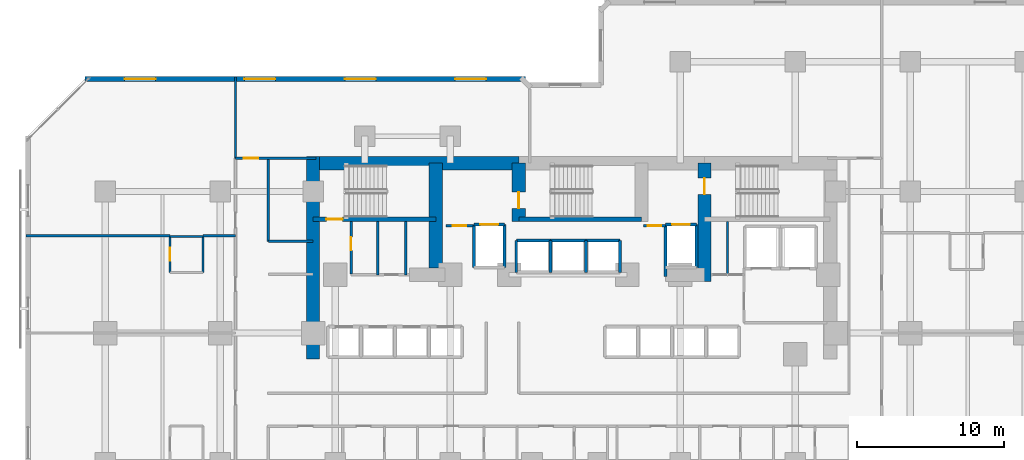
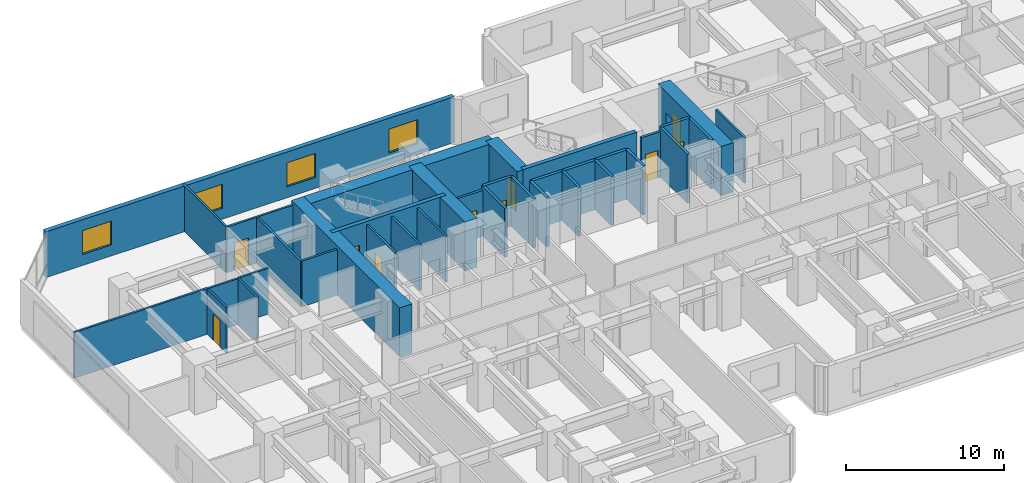
# One storey, part 8 of 12: 36 walls, 10 doors, 4 windows, 14 openings.
"""IFC4 building model written with IfcOpenShell, lengths in metres."""

from ifc_helpers import new_model, si_unit, direction, frame, frame_2d, origin, place, context, subcontext, project, spatial, rectangle, extrude, material, layer, layer_set, type_object, element, fill, save


model = new_model("IFC4")

# Units and contexts
model_context = context("Model", 3, precision=1e-05, world=origin(), true_north=direction((0.0, 1.0)))
body_context = subcontext(model_context, "Body", "Model", "MODEL_VIEW")
ifc_project = project(units=[si_unit("LENGTHUNIT", "METRE"), si_unit("AREAUNIT", "SQUARE_METRE"), si_unit("VOLUMEUNIT", "CUBIC_METRE"), si_unit("PLANEANGLEUNIT", "RADIAN"), si_unit("MASSUNIT", "GRAM", prefix="KILO")], contexts=[model_context])

# Site, building, storey
site_placement = place(None, origin())
site = spatial("IfcSite", under=ifc_project, at=site_placement, CompositionType="ELEMENT")
building_placement = place(site_placement, origin())
building = spatial("IfcBuilding", under=site, at=building_placement, Name="Kestravale Grand Hotel", CompositionType="ELEMENT")
storey_placement = place(building_placement, frame((0.0, 0.0, 26.0)))
storey = spatial("IfcBuildingStorey", under=building, at=storey_placement, Name="L05", CompositionType="ELEMENT", Elevation=26.0)

# Walls
ifc_material_1 = material(Name="Concrete f'c 70 MPa", Category="concrete")
ifc_layer_1 = layer(ifc_material_1, 0.89990234375)
ifc_layer_set_1 = layer_set([ifc_layer_1], Name="EW-CORE-900")
wall_type_1 = type_object("IfcWallType", Name="EW-CORE-900", PredefinedType="SHEAR", material=ifc_layer_set_1)
wall_1_placement = place(storey_placement, frame((21.449951171875, 40.320068359375, 0.0), z_axis=(0.0, 0.0, 1.0), x_axis=(1.0, 0.0, 0.0)))
element("IfcWall", 1, at=wall_1_placement, inside=storey, type_object=wall_type_1, Name="L05 core shear wall N1", PredefinedType="SHEAR", context=body_context, shape_type="SweptSolid", body=[
    extrude(rectangle(XDim=14.400146484375, YDim=0.89990234375, at=frame_2d((7.2001953125, 0.0))), origin(), (0.0, 0.0, 1.0), 3.800048828125),
])
wall_2_placement = place(storey_placement, frame((21.89990234375, 27.050048828125, 0.0), z_axis=(0.0, 0.0, 1.0), x_axis=(0.0, 1.0, 0.0)))
element("IfcWall", 2, at=wall_2_placement, inside=storey, type_object=wall_type_1, Name="L05 core shear wall W1", PredefinedType="SHEAR", context=body_context, shape_type="SweptSolid", body=[
    extrude(rectangle(XDim=13.719970703125, YDim=0.89990234375, at=frame_2d((6.85986328125, 0.0))), origin(), (0.0, 0.0, 1.0), 3.800048828125),
])
wall_3_placement = place(storey_placement, frame((30.219970703125, 33.199951171875, 0.0), z_axis=(0.0, 0.0, 1.0), x_axis=(0.0, 1.0, 0.0)))
element("IfcWall", 3, at=wall_3_placement, inside=storey, type_object=wall_type_1, Name="L05 core shear wall X1", PredefinedType="SHEAR", context=body_context, shape_type="SweptSolid", body=[
    extrude(rectangle(XDim=7.1201171875, YDim=0.89990234375, at=frame_2d((3.56005859375, 0.0))), origin(), (0.0, 0.0, 1.0), 3.800048828125),
])

# Wall, opening, door
wall_4_placement = place(storey_placement, frame((35.85009765625, 36.3701171875, 0.0), z_axis=(0.0, 0.0, 1.0), x_axis=(0.0, 1.0, 0.0)))
wall_4 = element("IfcWall", 4, at=wall_4_placement, inside=storey, type_object=wall_type_1, Name="L05 core shear wall X2", PredefinedType="SHEAR", context=body_context, shape_type="SweptSolid", body=[
    extrude(rectangle(XDim=3.949951171875, YDim=0.89990234375, at=frame_2d((1.97509765625, 0.0))), origin(), (0.0, 0.0, 1.0), 3.800048828125),
])
opening_1_placement = place(wall_4_placement, frame((0.8798828125, 0.0, 0.0)))
opening_1 = element("IfcOpeningElement", 5, at=opening_1_placement, cuts=wall_4, Name="Opening D-ST-1100", PredefinedType="OPENING", context=body_context, shape_type="SweptSolid", body=[
    extrude(rectangle(XDim=1.10009765625, YDim=2.14990234375, at=frame_2d((0.550048828125, 1.074951171875))), frame((0.0, 0.4599609375, 0.0), z_axis=(0.0, -1.0, 0.0), x_axis=(1.0, 0.0, 0.0)), (0.0, 0.0, 1.0), 0.919921875),
])
ifc_material_2 = material(Name="Galvanised 90-minute fire-rated steel stair door", Category="steel")
door_type_1 = type_object("IfcDoorType", Name="D-ST-1100", OperationType="NOTDEFINED", PredefinedType="DOOR", material=ifc_material_2)
door_1_placement = place(opening_1_placement, origin())
door_1 = element("IfcDoor", 6, at=door_1_placement, inside=storey, type_object=door_type_1, Name="L05 Stair ST-2 FSAE fire door", OperationType="SINGLE_SWING_RIGHT", OverallHeight=2.14990234375, OverallWidth=1.10009765625, PredefinedType="DOOR", context=body_context, shape_type="SweptSolid", body=[
    extrude(rectangle(XDim=1.10009765625, YDim=2.14990234375, at=frame_2d((0.550048828125, 1.074951171875))), frame((0.0, 0.02490234375, 0.0), z_axis=(0.0, -1.0, 0.0), x_axis=(1.0, 0.0, 0.0)), (0.0, 0.0, 1.0), 0.050048828125),
])
fill(opening_1, door_1)

wall_5_placement = place(storey_placement, frame((48.449951171875, 32.300048828125, 0.0), z_axis=(0.0, 0.0, 1.0), x_axis=(0.0, 1.0, 0.0)))
wall_5 = element("IfcWall", 7, at=wall_5_placement, inside=storey, type_object=wall_type_1, Name="L05 core shear wall X4", PredefinedType="SHEAR", context=body_context, shape_type="SweptSolid", body=[
    extrude(rectangle(XDim=8.02001953125, YDim=0.89990234375, at=frame_2d((4.010009765625, 0.0))), origin(), (0.0, 0.0, 1.0), 3.800048828125),
])
opening_2_placement = place(wall_5_placement, frame((5.89990234375, 0.0, 0.0)))
opening_2 = element("IfcOpeningElement", 8, at=opening_2_placement, cuts=wall_5, Name="Opening D-ST-1100", PredefinedType="OPENING", context=body_context, shape_type="SweptSolid", body=[
    extrude(rectangle(XDim=1.10009765625, YDim=2.14990234375, at=frame_2d((0.550048828125, 1.074951171875))), frame((0.0, 0.4599609375, 0.0), z_axis=(0.0, -1.0, 0.0), x_axis=(1.0, 0.0, 0.0)), (0.0, 0.0, 1.0), 0.919921875),
])
door_2_placement = place(opening_2_placement, origin())
door_2 = element("IfcDoor", 9, at=door_2_placement, inside=storey, type_object=door_type_1, Name="L05 Stair ST-3 FSAE fire door", OperationType="SINGLE_SWING_RIGHT", OverallHeight=2.14990234375, OverallWidth=1.10009765625, PredefinedType="DOOR", context=body_context, shape_type="SweptSolid", body=[
    extrude(rectangle(XDim=1.10009765625, YDim=2.14990234375, at=frame_2d((0.550048828125, 1.074951171875))), frame((0.0, 0.02490234375, 0.0), z_axis=(0.0, -1.0, 0.0), x_axis=(1.0, 0.0, 0.0)), (0.0, 0.0, 1.0), 0.050048828125),
])
fill(opening_2, door_2)

# Wall, openings, windows
ifc_material_3 = material(Name="Precast concrete f'c 45 MPa", Category="concrete")
ifc_layer_2 = layer(ifc_material_3, 0.340087890625)
ifc_layer_set_2 = layer_set([ifc_layer_2], Name="EW-PREC-340")
wall_type_2 = type_object("IfcWallType", Name="EW-PREC-340", PredefinedType="SOLIDWALL", material=ifc_layer_set_2)
wall_6_placement = place(storey_placement, frame((36.320068359375, 46.030029296875, 0.0), z_axis=(0.0, 0.0, 1.0), x_axis=(-1.0, 0.0, 0.0)))
wall_6 = element("IfcWall", 10, at=wall_6_placement, inside=storey, type_object=wall_type_2, Name="L05 fluted precast facade wall 17", PredefinedType="SOLIDWALL", context=body_context, shape_type="SweptSolid", body=[
    extrude(rectangle(XDim=29.89013671875, YDim=0.340087890625, at=frame_2d((14.945068359375, 0.0))), origin(), (0.0, 0.0, 1.0), 3.5400390625),
])
opening_3_placement = place(wall_6_placement, frame((2.686279296875, 0.0, 0.85009765625)))
opening_3 = element("IfcOpeningElement", 11, at=opening_3_placement, cuts=wall_6, Name="Opening W-GUEST-2100", PredefinedType="OPENING", context=body_context, shape_type="SweptSolid", body=[
    extrude(rectangle(XDim=2.10009765625, YDim=1.85009765625, at=frame_2d((1.050048828125, 0.925048828125))), frame((0.0, 0.179931640625, 0.0), z_axis=(0.0, -1.0, 0.0), x_axis=(1.0, 0.0, 0.0)), (0.0, 0.0, 1.0), 0.360107421875),
])
opening_4_placement = place(wall_6_placement, frame((10.15869140625, 0.0, 0.85009765625)))
opening_4 = element("IfcOpeningElement", 12, at=opening_4_placement, cuts=wall_6, Name="Opening W-GUEST-2100", PredefinedType="OPENING", context=body_context, shape_type="SweptSolid", body=[
    extrude(rectangle(XDim=2.10009765625, YDim=1.85009765625, at=frame_2d((1.050048828125, 0.925048828125))), frame((0.0, 0.179931640625, 0.0), z_axis=(0.0, -1.0, 0.0), x_axis=(1.0, 0.0, 0.0)), (0.0, 0.0, 1.0), 0.360107421875),
])
opening_5_placement = place(wall_6_placement, frame((16.981201171875, 0.0, 0.85009765625)))
opening_5 = element("IfcOpeningElement", 13, at=opening_5_placement, cuts=wall_6, Name="Opening W-GUEST-2100", PredefinedType="OPENING", context=body_context, shape_type="SweptSolid", body=[
    extrude(rectangle(XDim=2.10009765625, YDim=1.85009765625, at=frame_2d((1.050048828125, 0.925048828125))), frame((0.0, 0.179931640625, 0.0), z_axis=(0.0, -1.0, 0.0), x_axis=(1.0, 0.0, 0.0)), (0.0, 0.0, 1.0), 0.360107421875),
])
opening_6_placement = place(wall_6_placement, frame((25.103759765625, 0.0, 0.85009765625)))
opening_6 = element("IfcOpeningElement", 14, at=opening_6_placement, cuts=wall_6, Name="Opening W-GUEST-2100", PredefinedType="OPENING", context=body_context, shape_type="SweptSolid", body=[
    extrude(rectangle(XDim=2.10009765625, YDim=1.85009765625, at=frame_2d((1.050048828125, 0.925048828125))), frame((0.0, 0.179931640625, 0.0), z_axis=(0.0, -1.0, 0.0), x_axis=(1.0, 0.0, 0.0)), (0.0, 0.0, 1.0), 0.360107421875),
])
ifc_material_4 = material(Name="Insulated low-E double glazing in aluminium frame", Category="aluminium")
window_type = type_object("IfcWindowType", Name="W-GUEST-2100", PartitioningType="DOUBLE_PANEL_VERTICAL", PredefinedType="WINDOW", material=ifc_material_4)
window_1_placement = place(opening_3_placement, origin())
window_1 = element("IfcWindow", 15, at=window_1_placement, inside=storey, type_object=window_type, Name="L05 exterior window 17.1", OverallHeight=1.85009765625, OverallWidth=2.10009765625, PartitioningType="SINGLE_PANEL", PredefinedType="WINDOW", context=body_context, shape_type="SweptSolid", body=[
    extrude(rectangle(XDim=2.10009765625, YDim=1.85009765625, at=frame_2d((1.050048828125, 0.925048828125))), frame((0.0, 0.030029296875, 0.0), z_axis=(0.0, -1.0, 0.0), x_axis=(1.0, 0.0, 0.0)), (0.0, 0.0, 1.0), 0.06005859375),
])
fill(opening_3, window_1)
window_2_placement = place(opening_4_placement, origin())
window_2 = element("IfcWindow", 16, at=window_2_placement, inside=storey, type_object=window_type, Name="L05 exterior window 17.2", OverallHeight=1.85009765625, OverallWidth=2.10009765625, PartitioningType="SINGLE_PANEL", PredefinedType="WINDOW", context=body_context, shape_type="SweptSolid", body=[
    extrude(rectangle(XDim=2.10009765625, YDim=1.85009765625, at=frame_2d((1.050048828125, 0.925048828125))), frame((0.0, 0.030029296875, 0.0), z_axis=(0.0, -1.0, 0.0), x_axis=(1.0, 0.0, 0.0)), (0.0, 0.0, 1.0), 0.06005859375),
])
fill(opening_4, window_2)
window_3_placement = place(opening_5_placement, origin())
window_3 = element("IfcWindow", 17, at=window_3_placement, inside=storey, type_object=window_type, Name="L05 exterior window 17.3", OverallHeight=1.85009765625, OverallWidth=2.10009765625, PartitioningType="SINGLE_PANEL", PredefinedType="WINDOW", context=body_context, shape_type="SweptSolid", body=[
    extrude(rectangle(XDim=2.10009765625, YDim=1.85009765625, at=frame_2d((1.050048828125, 0.925048828125))), frame((0.0, 0.030029296875, 0.0), z_axis=(0.0, -1.0, 0.0), x_axis=(1.0, 0.0, 0.0)), (0.0, 0.0, 1.0), 0.06005859375),
])
fill(opening_5, window_3)
window_4_placement = place(opening_6_placement, origin())
window_4 = element("IfcWindow", 18, at=window_4_placement, inside=storey, type_object=window_type, Name="L05 exterior window 17.4", OverallHeight=1.85009765625, OverallWidth=2.10009765625, PartitioningType="SINGLE_PANEL", PredefinedType="WINDOW", context=body_context, shape_type="SweptSolid", body=[
    extrude(rectangle(XDim=2.10009765625, YDim=1.85009765625, at=frame_2d((1.050048828125, 0.925048828125))), frame((0.0, 0.030029296875, 0.0), z_axis=(0.0, -1.0, 0.0), x_axis=(1.0, 0.0, 0.0)), (0.0, 0.0, 1.0), 0.06005859375),
])
fill(opening_6, window_4)

# Wall, opening, door
ifc_material_5 = material(Name="Concrete f'c 45 MPa", Category="concrete")
ifc_layer_3 = layer(ifc_material_5, 0.300048828125)
ifc_layer_set_3 = layer_set([ifc_layer_3], Name="EW-STAIR-300")
wall_type_3 = type_object("IfcWallType", Name="EW-STAIR-300", PredefinedType="SHEAR", material=ifc_layer_set_3)
wall_7_placement = place(storey_placement, frame((21.89990234375, 36.52001953125, 0.0), z_axis=(0.0, 0.0, 1.0), x_axis=(1.0, 0.0, 0.0)))
wall_7 = element("IfcWall", 19, at=wall_7_placement, inside=storey, type_object=wall_type_3, Name="L05 stair enclosure shear wall SST1", PredefinedType="SHEAR", context=body_context, shape_type="SweptSolid", body=[
    extrude(rectangle(XDim=8.320068359375, YDim=0.300048828125, at=frame_2d((4.16015625, 0.0))), origin(), (0.0, 0.0, 1.0), 3.800048828125),
])
opening_7_placement = place(wall_7_placement, frame((0.89990234375, 0.0, 0.0)))
opening_7 = element("IfcOpeningElement", 20, at=opening_7_placement, cuts=wall_7, Name="Opening D-ST-1100", PredefinedType="OPENING", context=body_context, shape_type="SweptSolid", body=[
    extrude(rectangle(XDim=1.10009765625, YDim=2.14990234375, at=frame_2d((0.550048828125, 1.074951171875))), frame((0.0, 0.159912109375, 0.0), z_axis=(0.0, -1.0, 0.0), x_axis=(1.0, 0.0, 0.0)), (0.0, 0.0, 1.0), 0.320068359375),
])
door_3_placement = place(opening_7_placement, origin())
door_3 = element("IfcDoor", 21, at=door_3_placement, inside=storey, type_object=door_type_1, Name="L05 Stair ST-1 fire door", OperationType="SINGLE_SWING_RIGHT", OverallHeight=2.14990234375, OverallWidth=1.10009765625, PredefinedType="DOOR", context=body_context, shape_type="SweptSolid", body=[
    extrude(rectangle(XDim=1.10009765625, YDim=2.14990234375, at=frame_2d((0.550048828125, 1.074951171875))), frame((0.0, 0.02490234375, 0.0), z_axis=(0.0, -1.0, 0.0), x_axis=(1.0, 0.0, 0.0)), (0.0, 0.0, 1.0), 0.050048828125),
])
fill(opening_7, door_3)

# Wall
wall_8_placement = place(storey_placement, frame((35.85009765625, 36.52001953125, 0.0), z_axis=(0.0, 0.0, 1.0), x_axis=(1.0, 0.0, 0.0)))
element("IfcWall", 22, at=wall_8_placement, inside=storey, type_object=wall_type_3, Name="L05 stair enclosure shear wall SST2", PredefinedType="SHEAR", context=body_context, shape_type="SweptSolid", body=[
    extrude(rectangle(XDim=8.329833984375, YDim=0.300048828125, at=frame_2d((4.1650390625, 0.0))), origin(), (0.0, 0.0, 1.0), 3.800048828125),
])

# Wall, opening, door
ifc_material_6 = material(Name="Acoustic fire-rated gypsum board partition", Category="other")
ifc_layer_4 = layer(ifc_material_6, 0.159912109375)
ifc_layer_set_4 = layer_set([ifc_layer_4], Name="IW-CORR-160")
wall_type_4 = type_object("IfcWallType", Name="IW-CORR-160", PredefinedType="PARTITIONING", material=ifc_layer_set_4)
wall_9_placement = place(storey_placement, frame((24.47998046875, 32.800048828125, 0.0), z_axis=(0.0, 0.0, 1.0), x_axis=(0.0, 1.0, 0.0)))
wall_9 = element("IfcWall", 23, at=wall_9_placement, inside=storey, type_object=wall_type_4, Name="L05 west core vestibule wall", PredefinedType="PARTITIONING", context=body_context, shape_type="SweptSolid", body=[
    extrude(rectangle(XDim=3.570068359375, YDim=0.159912109375, at=frame_2d((1.78515625, 0.0))), origin(), (0.0, 0.0, 1.0), 3.5400390625),
])
opening_8_placement = place(wall_9_placement, frame((1.603515625, 0.0, 0.0)))
opening_8 = element("IfcOpeningElement", 24, at=opening_8_placement, cuts=wall_9, Name="Opening D-SH-900", PredefinedType="OPENING", context=body_context, shape_type="SweptSolid", body=[
    extrude(rectangle(XDim=0.89990234375, YDim=2.10009765625, at=frame_2d((0.449951171875, 1.050048828125))), frame((0.0, 0.08984375, 0.0), z_axis=(0.0, -1.0, 0.0), x_axis=(1.0, 0.0, 0.0)), (0.0, 0.0, 1.0), 0.179931640625),
])
ifc_material_7 = material(Name="Galvanised 90-minute shaft and service fire door", Category="steel")
door_type_2 = type_object("IfcDoorType", Name="D-SH-900", OperationType="NOTDEFINED", PredefinedType="DOOR", material=ifc_material_7)
door_4_placement = place(opening_8_placement, origin())
door_4 = element("IfcDoor", 25, at=door_4_placement, inside=storey, type_object=door_type_2, Name="D-L05-HK", OperationType="SINGLE_SWING_RIGHT", OverallHeight=2.10009765625, OverallWidth=0.89990234375, PredefinedType="DOOR", context=body_context, shape_type="SweptSolid", body=[
    extrude(rectangle(XDim=0.89990234375, YDim=2.10009765625, at=frame_2d((0.449951171875, 1.050048828125))), frame((0.0, 0.02490234375, 0.0), z_axis=(0.0, -1.0, 0.0), x_axis=(1.0, 0.0, 0.0)), (0.0, 0.0, 1.0), 0.050048828125),
])
fill(opening_8, door_4)

# Walls
wall_10_placement = place(storey_placement, frame((18.860107421875, 35.02001953125, 0.0), z_axis=(0.0, 0.0, 1.0), x_axis=(0.0, 1.0, 0.0)))
element("IfcWall", 26, at=wall_10_placement, inside=storey, type_object=wall_type_4, Name="W-L05-SW-EN", PredefinedType="PARTITIONING", context=body_context, shape_type="SweptSolid", body=[
    extrude(rectangle(XDim=5.6298828125, YDim=0.159912109375, at=frame_2d((2.81494140625, 0.0))), origin(), (0.0, 0.0, 1.0), 3.5400390625),
])
wall_11_placement = place(storey_placement, frame((18.860107421875, 35.02001953125, 0.0), z_axis=(0.0, 0.0, 1.0), x_axis=(1.0, 0.0, 0.0)))
element("IfcWall", 27, at=wall_11_placement, inside=storey, type_object=wall_type_4, Name="W-L05-SW-CN", PredefinedType="PARTITIONING", context=body_context, shape_type="SweptSolid", body=[
    extrude(rectangle(XDim=3.039794921875, YDim=0.159912109375, at=frame_2d((1.52001953125, 0.0))), origin(), (0.0, 0.0, 1.0), 3.5400390625),
])

# Wall, opening, door
ifc_material_8 = material(Name="Fire-rated gypsum board on steel studs with mineral wool", Category="steel")
ifc_layer_5 = layer(ifc_material_8, 0.179931640625)
ifc_layer_set_5 = layer_set([ifc_layer_5], Name="IW-FSAE-180")
wall_type_5 = type_object("IfcWallType", Name="IW-FSAE-180", PredefinedType="PARTITIONING", material=ifc_layer_set_5)
wall_12_placement = place(storey_placement, frame((30.89990234375, 36.080078125, 0.0), z_axis=(0.0, 0.0, 1.0), x_axis=(1.0, 0.0, 0.0)))
wall_12 = element("IfcWall", 28, at=wall_12_placement, inside=storey, type_object=wall_type_5, Name="L05 FSAE Lobby 1 smoke barrier", PredefinedType="PARTITIONING", context=body_context, shape_type="SweptSolid", body=[
    extrude(rectangle(XDim=1.85009765625, YDim=0.179931640625, at=frame_2d((0.925048828125, 0.0))), origin(), (0.0, 0.0, 1.0), 3.5400390625),
])
opening_9_placement = place(wall_12_placement, frame((0.47998046875, 0.0, 0.0)))
opening_9 = element("IfcOpeningElement", 29, at=opening_9_placement, cuts=wall_12, Name="Opening D-FSAE-1000", PredefinedType="OPENING", context=body_context, shape_type="SweptSolid", body=[
    extrude(rectangle(XDim=0.89990234375, YDim=2.14990234375, at=frame_2d((0.449951171875, 1.074951171875))), frame((0.0, 0.099853515625, 0.0), z_axis=(0.0, -1.0, 0.0), x_axis=(1.0, 0.0, 0.0)), (0.0, 0.0, 1.0), 0.199951171875),
])
ifc_material_9 = material(Name="Smoke-gasketed FSAE lobby fire door", Category="steel")
door_type_3 = type_object("IfcDoorType", Name="D-FSAE-1000", OperationType="NOTDEFINED", PredefinedType="DOOR", material=ifc_material_9)
door_5_placement = place(opening_9_placement, origin())
door_5 = element("IfcDoor", 30, at=door_5_placement, inside=storey, type_object=door_type_3, Name="L05 FSAE Lobby 1 fire door", OperationType="SINGLE_SWING_RIGHT", OverallHeight=2.14990234375, OverallWidth=0.89990234375, PredefinedType="DOOR", context=body_context, shape_type="SweptSolid", body=[
    extrude(rectangle(XDim=0.89990234375, YDim=2.14990234375, at=frame_2d((0.449951171875, 1.074951171875))), frame((0.0, 0.02490234375, 0.0), z_axis=(0.0, -1.0, 0.0), x_axis=(1.0, 0.0, 0.0)), (0.0, 0.0, 1.0), 0.050048828125),
])
fill(opening_9, door_5)

wall_13_placement = place(storey_placement, frame((44.300048828125, 36.080078125, 0.0), z_axis=(0.0, 0.0, 1.0), x_axis=(1.0, 0.0, 0.0)))
wall_13 = element("IfcWall", 31, at=wall_13_placement, inside=storey, type_object=wall_type_5, Name="L05 FSAE Lobby 2 smoke barrier", PredefinedType="PARTITIONING", context=body_context, shape_type="SweptSolid", body=[
    extrude(rectangle(XDim=1.5, YDim=0.179931640625, at=frame_2d((0.75, 0.0))), origin(), (0.0, 0.0, 1.0), 3.5400390625),
])
opening_10_placement = place(wall_13_placement, frame((0.300048828125, 0.0, 0.0)))
opening_10 = element("IfcOpeningElement", 32, at=opening_10_placement, cuts=wall_13, Name="Opening D-FSAE-1000", PredefinedType="OPENING", context=body_context, shape_type="SweptSolid", body=[
    extrude(rectangle(XDim=0.89990234375, YDim=2.14990234375, at=frame_2d((0.449951171875, 1.074951171875))), frame((0.0, 0.099853515625, 0.0), z_axis=(0.0, -1.0, 0.0), x_axis=(1.0, 0.0, 0.0)), (0.0, 0.0, 1.0), 0.199951171875),
])
door_6_placement = place(opening_10_placement, origin())
door_6 = element("IfcDoor", 33, at=door_6_placement, inside=storey, type_object=door_type_3, Name="L05 FSAE Lobby 2 fire door", OperationType="SINGLE_SWING_LEFT", OverallHeight=2.14990234375, OverallWidth=0.89990234375, PredefinedType="DOOR", context=body_context, shape_type="SweptSolid", body=[
    extrude(rectangle(XDim=0.89990234375, YDim=2.14990234375, at=frame_2d((0.449951171875, 1.074951171875))), frame((0.0, 0.02490234375, 0.0), z_axis=(0.0, -1.0, 0.0), x_axis=(1.0, 0.0, 0.0)), (0.0, 0.0, 1.0), 0.050048828125),
])
fill(opening_10, door_6)

ifc_material_10 = material(Name="Moisture-resistant tile-backer plumbing chase wall", Category="other")
ifc_layer_6 = layer(ifc_material_10, 0.139892578125)
ifc_layer_set_6 = layer_set([ifc_layer_6], Name="IW-PLB-140")
wall_type_6 = type_object("IfcWallType", Name="IW-PLB-140", PredefinedType="PLUMBINGWALL", material=ifc_layer_set_6)
wall_14_placement = place(storey_placement, frame((12.199951171875, 32.909912109375, 0.0), z_axis=(0.0, 0.0, 1.0), x_axis=(0.0, 1.0, 0.0)))
wall_14 = element("IfcWall", 34, at=wall_14_placement, inside=storey, type_object=wall_type_6, Name="W-L05-U09-BW", PredefinedType="PLUMBINGWALL", context=body_context, shape_type="SweptSolid", body=[
    extrude(rectangle(XDim=2.4501953125, YDim=0.139892578125, at=frame_2d((1.22509765625, 0.0))), origin(), (0.0, 0.0, 1.0), 3.5400390625),
])
opening_11_placement = place(wall_14_placement, frame((0.784912109375, 0.0, 0.0)))
opening_11 = element("IfcOpeningElement", 35, at=opening_11_placement, cuts=wall_14, Name="Opening D-BATH-880", PredefinedType="OPENING", context=body_context, shape_type="SweptSolid", body=[
    extrude(rectangle(XDim=0.8798828125, YDim=2.050048828125, at=frame_2d((0.43994140625, 1.02490234375))), frame((0.0, 0.079833984375, 0.0), z_axis=(0.0, -1.0, 0.0), x_axis=(1.0, 0.0, 0.0)), (0.0, 0.0, 1.0), 0.159912109375),
])
ifc_material_11 = material(Name="Moisture-sealed walnut en-suite bathroom door", Category="wood")
door_type_4 = type_object("IfcDoorType", Name="D-BATH-880", OperationType="NOTDEFINED", PredefinedType="DOOR", material=ifc_material_11)
door_7_placement = place(opening_11_placement, origin())
door_7 = element("IfcDoor", 36, at=door_7_placement, inside=storey, type_object=door_type_4, Name="D-L05-U09-BATH", OperationType="SINGLE_SWING_LEFT", OverallHeight=2.050048828125, OverallWidth=0.8798828125, PredefinedType="DOOR", context=body_context, shape_type="SweptSolid", body=[
    extrude(rectangle(XDim=0.8798828125, YDim=2.050048828125, at=frame_2d((0.43994140625, 1.02490234375))), frame((0.0, 0.02490234375, 0.0), z_axis=(0.0, -1.0, 0.0), x_axis=(1.0, 0.0, 0.0)), (0.0, 0.0, 1.0), 0.050048828125),
])
fill(opening_11, door_7)

# Walls
wall_15_placement = place(storey_placement, frame((14.449951171875, 32.909912109375, 0.0), z_axis=(0.0, 0.0, 1.0), x_axis=(0.0, 1.0, 0.0)))
element("IfcWall", 37, at=wall_15_placement, inside=storey, type_object=wall_type_6, Name="W-L05-U09-BE", PredefinedType="PLUMBINGWALL", context=body_context, shape_type="SweptSolid", body=[
    extrude(rectangle(XDim=2.4501953125, YDim=0.139892578125, at=frame_2d((1.22509765625, 0.0))), origin(), (0.0, 0.0, 1.0), 3.5400390625),
])
wall_16_placement = place(storey_placement, frame((12.199951171875, 35.360107421875, 0.0), z_axis=(0.0, 0.0, 1.0), x_axis=(1.0, 0.0, 0.0)))
element("IfcWall", 38, at=wall_16_placement, inside=storey, type_object=wall_type_6, Name="W-L05-U09-BN", PredefinedType="PLUMBINGWALL", context=body_context, shape_type="SweptSolid", body=[
    extrude(rectangle(XDim=2.25, YDim=0.139892578125, at=frame_2d((1.125, 0.0))), origin(), (0.0, 0.0, 1.0), 3.5400390625),
])
ifc_material_12 = material(Name="Concrete f'c 45 MPa", Category="concrete")
ifc_layer_7 = layer(ifc_material_12, 0.199951171875)
ifc_layer_set_7 = layer_set([ifc_layer_7], Name="IW-SHAFT-200")
wall_type_7 = type_object("IfcWallType", Name="IW-SHAFT-200", PredefinedType="SHEAR", material=ifc_layer_set_7)
for number, where, z_axis, x_axis, name in (
    (39, (35.679931640625, 32.919921875, 0.0), (0.0, 0.0, 1.0), (0.0, 1.0, 0.0), "L05 PL-X1 west shaft wall"),
    (40, (38.0, 32.919921875, 0.0), (0.0, 0.0, 1.0), (0.0, 1.0, 0.0), "L05 PL-X2 west shaft wall"),
    (41, (40.39990234375, 32.919921875, 0.0), (0.0, 0.0, 1.0), (0.0, 1.0, 0.0), "L05 PL-X3 west shaft wall"),
    (42, (42.719970703125, 32.919921875, 0.0), (0.0, 0.0, 1.0), (0.0, 1.0, 0.0), "L05 PL-X3 east shaft wall"),
):
    element("IfcWall", number, at=place(storey_placement, frame(where, z_axis=z_axis, x_axis=x_axis)), inside=storey, type_object=wall_type_7, Name=name, PredefinedType="SHEAR", context=body_context, shape_type="SweptSolid", body=[
        extrude(rectangle(XDim=2.16015625, YDim=0.199951171875, at=frame_2d((1.080078125, 0.0))), origin(), (0.0, 0.0, 1.0), 3.800048828125),
    ])
for number, where, z_axis, x_axis, name in (
    (43, (32.804931640625, 33.2451171875, 0.0), (0.0, 0.0, 1.0), (0.0, 1.0, 0.0), "L05 FL-1 west shaft wall"),
    (44, (34.89501953125, 33.2451171875, 0.0), (0.0, 0.0, 1.0), (0.0, 1.0, 0.0), "L05 FL-1 east shaft wall"),
):
    element("IfcWall", number, at=place(storey_placement, frame(where, z_axis=z_axis, x_axis=x_axis)), inside=storey, type_object=wall_type_7, Name=name, PredefinedType="SHEAR", context=body_context, shape_type="SweptSolid", body=[
        extrude(rectangle(XDim=2.909912109375, YDim=0.199951171875, at=frame_2d((1.455078125, 0.0))), origin(), (0.0, 0.0, 1.0), 3.800048828125),
    ])
wall_17_placement = place(storey_placement, frame((45.804931640625, 32.64990234375, 0.0), z_axis=(0.0, 0.0, 1.0), x_axis=(0.0, 1.0, 0.0)))
element("IfcWall", 45, at=wall_17_placement, inside=storey, type_object=wall_type_7, Name="L05 FL-2 west shaft wall", PredefinedType="SHEAR", context=body_context, shape_type="SweptSolid", body=[
    extrude(rectangle(XDim=3.505126953125, YDim=0.199951171875, at=frame_2d((1.75244140625, 0.0))), origin(), (0.0, 0.0, 1.0), 3.800048828125),
])
wall_18_placement = place(storey_placement, frame((47.89501953125, 33.2451171875, 0.0), z_axis=(0.0, 0.0, 1.0), x_axis=(0.0, 1.0, 0.0)))
element("IfcWall", 46, at=wall_18_placement, inside=storey, type_object=wall_type_7, Name="L05 FL-2 east shaft wall", PredefinedType="SHEAR", context=body_context, shape_type="SweptSolid", body=[
    extrude(rectangle(XDim=2.909912109375, YDim=0.199951171875, at=frame_2d((1.455078125, 0.0))), origin(), (0.0, 0.0, 1.0), 3.800048828125),
])
ifc_material_13 = material(Name="Concrete f'c 45 MPa", Category="concrete")
ifc_layer_8 = layer(ifc_material_13, 0.219970703125)
ifc_layer_set_8 = layer_set([ifc_layer_8], Name="IW-SHAFT-220")
wall_type_8 = type_object("IfcWallType", Name="IW-SHAFT-220", PredefinedType="SHEAR", material=ifc_layer_set_8)
wall_19_placement = place(storey_placement, frame((35.679931640625, 35.080078125, 0.0), z_axis=(0.0, 0.0, 1.0), x_axis=(1.0, 0.0, 0.0)))
element("IfcWall", 47, at=wall_19_placement, inside=storey, type_object=wall_type_8, Name="L05 PL-X1 north shaft wall", PredefinedType="SHEAR", context=body_context, shape_type="SweptSolid", body=[
    extrude(rectangle(XDim=2.320068359375, YDim=0.219970703125, at=frame_2d((1.16015625, 0.0))), origin(), (0.0, 0.0, 1.0), 3.800048828125),
])
wall_20_placement = place(storey_placement, frame((38.0, 35.080078125, 0.0), z_axis=(0.0, 0.0, 1.0), x_axis=(1.0, 0.0, 0.0)))
element("IfcWall", 48, at=wall_20_placement, inside=storey, type_object=wall_type_8, Name="L05 PL-X2 north shaft wall", PredefinedType="SHEAR", context=body_context, shape_type="SweptSolid", body=[
    extrude(rectangle(XDim=2.39990234375, YDim=0.219970703125, at=frame_2d((1.199951171875, 0.0))), origin(), (0.0, 0.0, 1.0), 3.800048828125),
])
wall_21_placement = place(storey_placement, frame((40.39990234375, 35.080078125, 0.0), z_axis=(0.0, 0.0, 1.0), x_axis=(1.0, 0.0, 0.0)))
element("IfcWall", 49, at=wall_21_placement, inside=storey, type_object=wall_type_8, Name="L05 PL-X3 north shaft wall", PredefinedType="SHEAR", context=body_context, shape_type="SweptSolid", body=[
    extrude(rectangle(XDim=2.320068359375, YDim=0.219970703125, at=frame_2d((1.16015625, 0.0))), origin(), (0.0, 0.0, 1.0), 3.800048828125),
])

# Wall, opening, door
wall_22_placement = place(storey_placement, frame((32.804931640625, 36.155029296875, 0.0), z_axis=(0.0, 0.0, 1.0), x_axis=(1.0, 0.0, 0.0)))
wall_22 = element("IfcWall", 50, at=wall_22_placement, inside=storey, type_object=wall_type_8, Name="L05 FL-1 north shaft wall", PredefinedType="SHEAR", context=body_context, shape_type="SweptSolid", body=[
    extrude(rectangle(XDim=2.090087890625, YDim=0.219970703125, at=frame_2d((1.044921875, 0.0))), origin(), (0.0, 0.0, 1.0), 3.800048828125),
])
opening_12_placement = place(wall_22_placement, frame((0.445068359375, 0.0, 0.0)))
opening_12 = element("IfcOpeningElement", 51, at=opening_12_placement, cuts=wall_22, Name="Opening LD-FSAE-1200", PredefinedType="OPENING", context=body_context, shape_type="SweptSolid", body=[
    extrude(rectangle(XDim=1.199951171875, YDim=2.14990234375, at=frame_2d((0.60009765625, 1.074951171875))), frame((0.0, 0.119873046875, 0.0), z_axis=(0.0, -1.0, 0.0), x_axis=(1.0, 0.0, 0.0)), (0.0, 0.0, 1.0), 0.239990234375),
])
ifc_material_14 = material(Name="Stainless fire-service sliding elevator landing door", Category="steel")
door_type_5 = type_object("IfcDoorType", Name="LD-FSAE-1200", OperationType="NOTDEFINED", PredefinedType="DOOR", material=ifc_material_14)
door_8_placement = place(opening_12_placement, origin())
door_8 = element("IfcDoor", 52, at=door_8_placement, inside=storey, type_object=door_type_5, Name="L05 FL-1 elevator landing sliding door", OperationType="DOUBLE_DOOR_SLIDING", OverallHeight=2.14990234375, OverallWidth=1.199951171875, PredefinedType="DOOR", context=body_context, shape_type="SweptSolid", body=[
    extrude(rectangle(XDim=1.199951171875, YDim=2.14990234375, at=frame_2d((0.60009765625, 1.074951171875))), frame((0.0, 0.02490234375, 0.0), z_axis=(0.0, -1.0, 0.0), x_axis=(1.0, 0.0, 0.0)), (0.0, 0.0, 1.0), 0.050048828125),
])
fill(opening_12, door_8)

wall_23_placement = place(storey_placement, frame((45.804931640625, 36.155029296875, 0.0), z_axis=(0.0, 0.0, 1.0), x_axis=(1.0, 0.0, 0.0)))
wall_23 = element("IfcWall", 53, at=wall_23_placement, inside=storey, type_object=wall_type_8, Name="L05 FL-2 north shaft wall", PredefinedType="SHEAR", context=body_context, shape_type="SweptSolid", body=[
    extrude(rectangle(XDim=2.090087890625, YDim=0.219970703125, at=frame_2d((1.044921875, 0.0))), origin(), (0.0, 0.0, 1.0), 3.800048828125),
])
opening_13_placement = place(wall_23_placement, frame((0.445068359375, 0.0, 0.0)))
opening_13 = element("IfcOpeningElement", 54, at=opening_13_placement, cuts=wall_23, Name="Opening LD-FSAE-1200", PredefinedType="OPENING", context=body_context, shape_type="SweptSolid", body=[
    extrude(rectangle(XDim=1.199951171875, YDim=2.14990234375, at=frame_2d((0.60009765625, 1.074951171875))), frame((0.0, 0.119873046875, 0.0), z_axis=(0.0, -1.0, 0.0), x_axis=(1.0, 0.0, 0.0)), (0.0, 0.0, 1.0), 0.239990234375),
])
door_9_placement = place(opening_13_placement, origin())
door_9 = element("IfcDoor", 55, at=door_9_placement, inside=storey, type_object=door_type_5, Name="L05 FL-2 elevator landing sliding door", OperationType="DOUBLE_DOOR_SLIDING", OverallHeight=2.14990234375, OverallWidth=1.199951171875, PredefinedType="DOOR", context=body_context, shape_type="SweptSolid", body=[
    extrude(rectangle(XDim=1.199951171875, YDim=2.14990234375, at=frame_2d((0.60009765625, 1.074951171875))), frame((0.0, 0.02490234375, 0.0), z_axis=(0.0, -1.0, 0.0), x_axis=(1.0, 0.0, 0.0)), (0.0, 0.0, 1.0), 0.050048828125),
])
fill(opening_13, door_9)

# Walls
ifc_material_15 = material(Name="Double-stud STC 52 acoustic demising partition", Category="other")
ifc_layer_9 = layer(ifc_material_15, 0.14990234375)
ifc_layer_set_9 = layer_set([ifc_layer_9], Name="IW-UNIT-150")
wall_type_9 = type_object("IfcWallType", Name="IW-UNIT-150", PredefinedType="PARTITIONING", material=ifc_layer_set_9)
for number, where, z_axis, x_axis, name in (
    (56, (26.280029296875, 32.75, 0.0), (0.0, 0.0, 1.0), (0.0, 1.0, 0.0), "W-L05-CC1-1"),
    (57, (28.179931640625, 32.75, 0.0), (0.0, 0.0, 1.0), (0.0, 1.0, 0.0), "W-L05-CC1-2"),
    (58, (50.010009765625, 32.75, 0.0), (0.0, 0.0, 1.0), (0.0, 1.0, 0.0), "W-L05-CC1-EM"),
):
    element("IfcWall", number, at=place(storey_placement, frame(where, z_axis=z_axis, x_axis=x_axis)), inside=storey, type_object=wall_type_9, Name=name, PredefinedType="PARTITIONING", context=body_context, shape_type="SweptSolid", body=[
        extrude(rectangle(XDim=3.6201171875, YDim=0.14990234375, at=frame_2d((1.81005859375, 0.0))), origin(), (0.0, 0.0, 1.0), 3.5400390625),
    ])

# Wall, opening, door
wall_24_placement = place(storey_placement, frame((16.639892578125, 40.64990234375, 0.0), z_axis=(0.0, 0.0, 1.0), x_axis=(1.0, 0.0, 0.0)))
wall_24 = element("IfcWall", 59, at=wall_24_placement, inside=storey, type_object=wall_type_9, Name="W-L05-SW-N", PredefinedType="PARTITIONING", context=body_context, shape_type="SweptSolid", body=[
    extrude(rectangle(XDim=5.460205078125, YDim=0.14990234375, at=frame_2d((2.72998046875, 0.0))), origin(), (0.0, 0.0, 1.0), 3.5400390625),
])
opening_14_placement = place(wall_24_placement, frame((0.550048828125, 0.0, 0.0)))
opening_14 = element("IfcOpeningElement", 60, at=opening_14_placement, cuts=wall_24, Name="Opening D-GUEST-1000", PredefinedType="OPENING", context=body_context, shape_type="SweptSolid", body=[
    extrude(rectangle(XDim=1.0, YDim=2.14990234375, at=frame_2d((0.5, 1.074951171875))), frame((0.0, 0.0849609375, 0.0), z_axis=(0.0, -1.0, 0.0), x_axis=(1.0, 0.0, 0.0)), (0.0, 0.0, 1.0), 0.169921875),
])
ifc_material_16 = material(Name="Accessible walnut veneer hotel entrance fire door", Category="wood")
door_type_6 = type_object("IfcDoorType", Name="D-GUEST-1000", OperationType="NOTDEFINED", PredefinedType="DOOR", material=ifc_material_16)
door_10_placement = place(opening_14_placement, origin())
door_10 = element("IfcDoor", 61, at=door_10_placement, inside=storey, type_object=door_type_6, Name="L05 NW Gallery Door", OperationType="SINGLE_SWING_RIGHT", OverallHeight=2.14990234375, OverallWidth=1.0, PredefinedType="DOOR", context=body_context, shape_type="SweptSolid", body=[
    extrude(rectangle(XDim=1.0, YDim=2.14990234375, at=frame_2d((0.5, 1.074951171875))), frame((0.0, 0.02490234375, 0.0), z_axis=(0.0, -1.0, 0.0), x_axis=(1.0, 0.0, 0.0)), (0.0, 0.0, 1.0), 0.050048828125),
])
fill(opening_14, door_10)

# Walls
wall_25_placement = place(storey_placement, frame((16.639892578125, 40.64990234375, 0.0), z_axis=(0.0, 0.0, 1.0), x_axis=(0.0, 1.0, 0.0)))
element("IfcWall", 62, at=wall_25_placement, inside=storey, type_object=wall_type_9, Name="W-L05-NGW-W", PredefinedType="PARTITIONING", context=body_context, shape_type="SweptSolid", body=[
    extrude(rectangle(XDim=5.530029296875, YDim=0.14990234375, at=frame_2d((2.76513671875, 0.0))), origin(), (0.0, 0.0, 1.0), 3.5400390625),
])
wall_26_placement = place(storey_placement, frame((2.419921875, 35.39990234375, 0.0), z_axis=(0.0, 0.0, 1.0), x_axis=(1.0, 0.0, 0.0)))
element("IfcWall", 63, at=wall_26_placement, inside=storey, type_object=wall_type_9, Name="W-L05-WW-4", PredefinedType="PARTITIONING", context=body_context, shape_type="SweptSolid", body=[
    extrude(rectangle(XDim=9.780029296875, YDim=0.14990234375, at=frame_2d((4.89013671875, 0.0))), origin(), (0.0, 0.0, 1.0), 3.5400390625),
])
wall_27_placement = place(storey_placement, frame((14.449951171875, 35.39990234375, 0.0), z_axis=(0.0, 0.0, 1.0), x_axis=(1.0, 0.0, 0.0)))
element("IfcWall", 64, at=wall_27_placement, inside=storey, type_object=wall_type_9, Name="W-L05-WW-4", PredefinedType="PARTITIONING", context=body_context, shape_type="SweptSolid", body=[
    extrude(rectangle(XDim=2.18994140625, YDim=0.14990234375, at=frame_2d((1.094970703125, 0.0))), origin(), (0.0, 0.0, 1.0), 3.5400390625),
])

save(model, "model.ifc")
